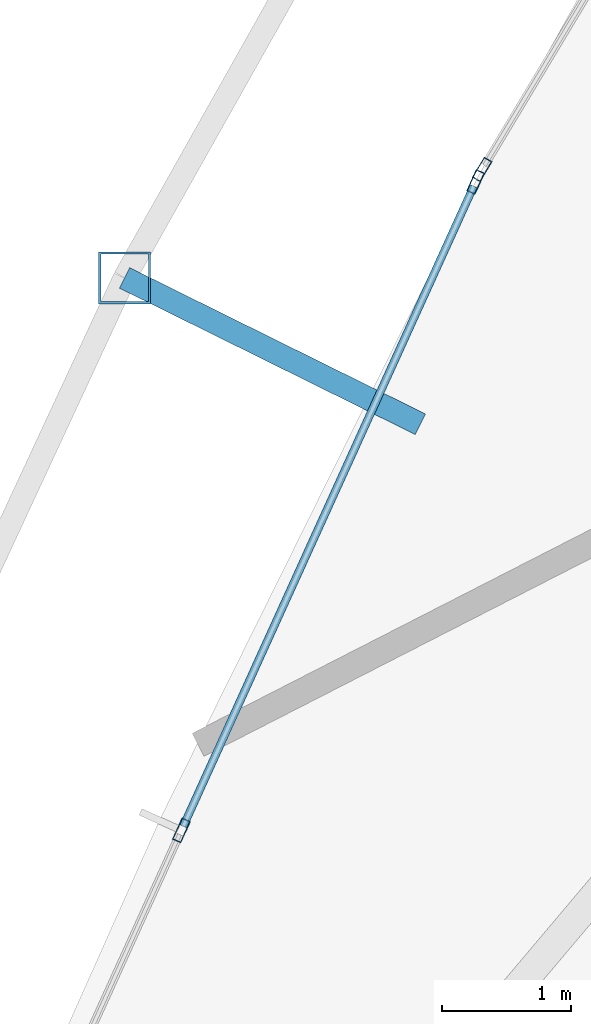
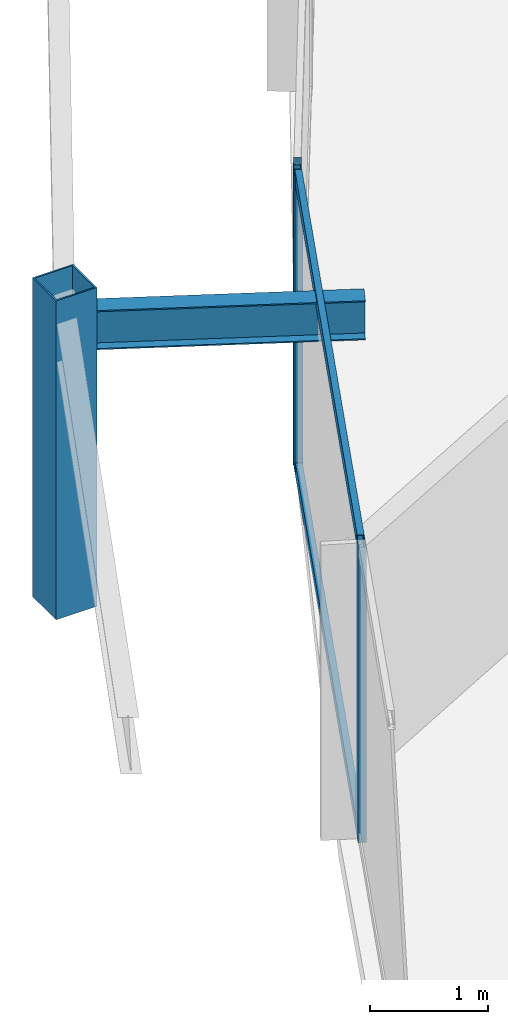
# One storey, part 10 of 31: 6 members, 1 beam, 2 elements without a shape of their own.
"""IFC4 building model written with IfcOpenShell, lengths in metres."""

import ifcopenshell
import ifcopenshell.guid

model = None  # the IFC model being written
_history = None  # IfcOwnerHistory: only IFC2X3 demands one
_inside = {}  # id of a spatial element -> (the spatial element, [elements in it])
_under = {}  # id of a project, library or spatial element -> (it, [spatial elements below it])
_declared = {}  # id of a project -> (the project, [libraries it declares])
_typed = {}  # id of a type object -> (the type object, [elements of that type])
_made_of = {}  # id of a material, layer set ... -> (it, [elements and type objects made of it])


def new_model(schema):
    """Start an empty IFC model of exactly this schema.

    Asked for "IFC4X3", IfcOpenShell would pick the latest addendum, in which some entities
    have other attributes; the version numbers below select the first issue.
    IFC2X3 requires an IfcOwnerHistory on every rooted entity: one is made here for all.
    """
    global model, _history
    if schema == "IFC4X3":
        model = ifcopenshell.file(schema_version=(4, 3, 0, 0))
    else:
        model = ifcopenshell.file(schema=schema)
    _inside.clear()
    _under.clear()
    _declared.clear()
    _typed.clear()
    _made_of.clear()
    _history = None
    if model.schema == "IFC2X3":
        org = make("IfcOrganization", Name="unknown")
        user = make(
            "IfcPersonAndOrganization",
            ThePerson=make("IfcPerson", FamilyName="unknown"),
            TheOrganization=org,
        )
        app = make(
            "IfcApplication",
            ApplicationDeveloper=org,
            Version="unknown",
            ApplicationFullName="unknown",
            ApplicationIdentifier="unknown",
        )
        _history = make(
            "IfcOwnerHistory",
            OwningUser=user,
            OwningApplication=app,
            ChangeAction="ADDED",
            CreationDate=0,
        )
    return model


def make(cls, **values):
    """One entity of the class cls with the attributes given. An attribute that is None is left unset."""
    return model.create_entity(
        cls, **{name: value for name, value in values.items() if value is not None}
    )


def rooted(cls, **values):
    """An entity with a GlobalId (a new one), such as an element, a storey or a relation."""
    return make(cls, GlobalId=ifcopenshell.guid.new(), OwnerHistory=_history, **values)


def si_unit(unit_type, name, prefix=None):
    """IfcSIUnit, for example si_unit("LENGTHUNIT", "METRE", prefix="MILLI")."""
    return make("IfcSIUnit", UnitType=unit_type, Prefix=prefix, Name=name)


def assignment(units):
    """IfcUnitAssignment: the units of a project."""
    return None if units is None else make("IfcUnitAssignment", Units=units)


def point(xyz):
    """IfcCartesianPoint."""
    return None if xyz is None else make("IfcCartesianPoint", Coordinates=xyz)


def direction(xyz):
    """IfcDirection."""
    return None if xyz is None else make("IfcDirection", DirectionRatios=xyz)


def frame(location, z_axis=None, x_axis=None):
    """IfcAxis2Placement3D, a coordinate frame: its origin and axes. An axis left out is left unset."""
    return make(
        "IfcAxis2Placement3D",
        Location=point(location),
        Axis=direction(z_axis),
        RefDirection=direction(x_axis),
    )


def frame_2d(location, x_axis=None):
    """IfcAxis2Placement2D, a coordinate frame in the plane: its origin and x axis."""
    return make(
        "IfcAxis2Placement2D", Location=point(location), RefDirection=direction(x_axis)
    )


def origin():
    """The frame at (0, 0, 0) with its axes left unset."""
    return frame((0.0, 0.0, 0.0))


def origin_2d():
    """The frame at (0, 0) in the plane with its x axis left unset."""
    return frame_2d((0.0, 0.0))


def place(relative_to, where):
    """IfcLocalPlacement: puts the frame where relative to a parent placement (None: the world)."""
    return make(
        "IfcLocalPlacement", PlacementRelTo=relative_to, RelativePlacement=where
    )


def context(
    kind, dimensions, precision=None, world=None, true_north=None, identifier=None
):
    """IfcGeometricRepresentationContext, for example the 3D "Model" context."""
    return make(
        "IfcGeometricRepresentationContext",
        ContextIdentifier=identifier,
        ContextType=kind,
        CoordinateSpaceDimension=dimensions,
        Precision=precision,
        WorldCoordinateSystem=world,
        TrueNorth=true_north,
    )


def subcontext(parent, identifier, kind, view, scale=None):
    """IfcGeometricRepresentationSubContext, for example "Body" below "Model"."""
    return make(
        "IfcGeometricRepresentationSubContext",
        ContextIdentifier=identifier,
        ContextType=kind,
        ParentContext=parent,
        TargetScale=scale,
        TargetView=view,
    )


def project(units=None, contexts=None):
    """IfcProject with its units and contexts."""
    return rooted(
        "IfcProject",
        Name="project",
        RepresentationContexts=contexts,
        UnitsInContext=assignment(units),
    )


def spatial(cls, under=None, at=None, **own):
    """A site, building, storey or space (cls), placed at a placement, below another one or the project."""
    s = rooted(cls, ObjectPlacement=at, **own)
    if under is not None:
        _under.setdefault(under.id(), (under, []))[1].append(s)
    return s


def profile(cls, at=None, kind="AREA", **sizes):
    """A parametric profile (cls). Its sizes go by their IFC names, for example OverallWidth=200.0."""
    return make(cls, ProfileType=kind, Position=at, **sizes)


def hollow_rectangle(**sizes):
    """IfcRectangleHollowProfileDef."""
    return profile("IfcRectangleHollowProfileDef", **sizes)


def i_section(**sizes):
    """IfcIShapeProfileDef."""
    return profile("IfcIShapeProfileDef", **sizes)


def extrude(swept, where, along, depth):
    """IfcExtrudedAreaSolid: the profile swept, set in the frame where, extruded along a direction by depth."""
    return make(
        "IfcExtrudedAreaSolid",
        SweptArea=swept,
        Position=where,
        ExtrudedDirection=direction(along),
        Depth=depth,
    )


def shape(context_of_items, identifier, shape_type, items):
    """IfcShapeRepresentation: the items that make up one representation, for example the "Body"."""
    return make(
        "IfcShapeRepresentation",
        ContextOfItems=context_of_items,
        RepresentationIdentifier=identifier,
        RepresentationType=shape_type,
        Items=items,
    )


def material(Name=None, Category=None):
    """IfcMaterial."""
    return make("IfcMaterial", Name=Name, Category=Category)


def layer(
    of_material, thickness, ventilated=None, Name=None, Category=None, Priority=None
):
    """IfcMaterialLayer: one layer of a wall or slab, of a material (None: an air gap)."""
    return make(
        "IfcMaterialLayer",
        Material=of_material,
        LayerThickness=thickness,
        IsVentilated=ventilated,
        Name=Name,
        Category=Category,
        Priority=Priority,
    )


def layer_set(layers, Name=None):
    """IfcMaterialLayerSet."""
    return make("IfcMaterialLayerSet", MaterialLayers=layers, LayerSetName=Name)


def material_profile(
    of_material, cross_section, Name=None, Category=None, Priority=None
):
    """IfcMaterialProfile: a cross section and its material."""
    return make(
        "IfcMaterialProfile",
        Name=Name,
        Material=of_material,
        Profile=cross_section,
        Priority=Priority,
        Category=Category,
    )


def profile_set(profiles, Name=None, composite=None):
    """IfcMaterialProfileSet."""
    return make(
        "IfcMaterialProfileSet",
        Name=Name,
        MaterialProfiles=profiles,
        CompositeProfile=composite,
    )


def made_of(thing, what):
    """Note that an element or type object is made of a material, layer set ...; save() writes the relation."""
    if what is not None:
        _made_of.setdefault(what.id(), (what, []))[1].append(thing)
    return thing


def type_object(cls, material=None, **own):
    """A type object (cls), such as IfcWallType, which elements share."""
    return made_of(rooted(cls, **own), material)


def element(
    cls,
    number,
    at=None,
    inside=None,
    cuts=None,
    type_object=None,
    material=None,
    context=None,
    identifier="Body",
    shape_type=None,
    held_by="IfcProductDefinitionShape",
    body=None,
    shapes=None,
    **own,
):
    """One element of the class cls, such as IfcWall. Its Tag is "e" and its number.

    at: its placement. inside: the storey or other place that contains it. cuts: it is an
    opening in that element (IfcRelVoidsElement). A single representation is given by context,
    identifier, shape_type and body (its items); several are given by shapes. held_by: the class
    of the entity that holds the representations. save() writes the other relations.
    """
    e = rooted(cls, Tag="e%d" % number, ObjectPlacement=at, **own)
    if body is not None:
        shapes = [shape(context, identifier, shape_type, body)]
    if shapes is not None:
        e.Representation = make(held_by, Representations=shapes)
    if inside is not None:
        _inside.setdefault(inside.id(), (inside, []))[1].append(e)
    if cuts is not None:
        rooted(
            "IfcRelVoidsElement", RelatingBuildingElement=cuts, RelatedOpeningElement=e
        )
    if type_object is not None:
        _typed.setdefault(type_object.id(), (type_object, []))[1].append(e)
    return made_of(e, material)


def aggregate(whole, parts):
    """IfcRelAggregates: a whole, such as a stair, and the parts it consists of."""
    return rooted("IfcRelAggregates", RelatingObject=whole, RelatedObjects=parts)


def save(model, path):
    """Write the relations noted so far, then the file.

    IfcRelAggregates (storeys below a building ...), IfcRelContainedInSpatialStructure (elements
    in a storey), IfcRelDefinesByType, IfcRelAssociatesMaterial and IfcRelDeclares: one each for
    every whole, place, type object, material and project.
    """
    for whole, parts in _under.values():
        aggregate(whole, parts)
    for where, things in _inside.values():
        rooted(
            "IfcRelContainedInSpatialStructure",
            RelatedElements=things,
            RelatingStructure=where,
        )
    for kind, things in _typed.values():
        rooted("IfcRelDefinesByType", RelatedObjects=things, RelatingType=kind)
    for what, things in _made_of.values():
        rooted("IfcRelAssociatesMaterial", RelatedObjects=things, RelatingMaterial=what)
    for by, libraries in _declared.values():
        rooted("IfcRelDeclares", RelatingContext=by, RelatedDefinitions=libraries)
    model.write(path)


model = new_model("IFC4")

# Units and contexts
model_context = context("Model", 3, precision=1e-05, world=origin(), true_north=direction((0.0, 1.0)))
body_context = subcontext(model_context, "Body", "Model", "MODEL_VIEW")
ifc_project = project(units=[si_unit("LENGTHUNIT", "METRE"), si_unit("AREAUNIT", "SQUARE_METRE"), si_unit("VOLUMEUNIT", "CUBIC_METRE"), si_unit("PLANEANGLEUNIT", "RADIAN"), si_unit("MASSUNIT", "GRAM", prefix="KILO")], contexts=[model_context])

# Site, building, storey
site_placement = place(None, origin())
site = spatial("IfcSite", under=ifc_project, at=site_placement, CompositionType="ELEMENT")
building_placement = place(site_placement, origin())
building = spatial("IfcBuilding", under=site, at=building_placement, Name="Orvanel Arch Residences", CompositionType="ELEMENT")
storey_placement = place(building_placement, frame((0.0, 0.0, 153.949951171875)))
storey = spatial("IfcBuildingStorey", under=building, at=storey_placement, Name="L43", CompositionType="ELEMENT", Elevation=153.949951171875)

# Curtain wall, member
ifc_material_1 = material(Name="Bronze-anodised aluminium AA6063-T6", Category="aluminium")
ifc_layer = layer(ifc_material_1, 0.179931640625)
ifc_layer_set = layer_set([ifc_layer], Name="Bronze-anodised aluminium AA6063-T6")
curtain_wall_type = type_object("IfcCurtainWallType", Name="CW3-MID-SYS", PredefinedType="NOTDEFINED", material=ifc_layer_set)
curtain_wall_1_placement = place(storey_placement, origin())
curtain_wall_1 = element("IfcCurtainWall", 1, at=curtain_wall_1_placement, inside=storey, type_object=curtain_wall_type, Name="L43 CW3-MID-SYS Unitised Curtain Wall", PredefinedType="NOTDEFINED")
ifc_material_profile_1 = material_profile(ifc_material_1, hollow_rectangle(XDim=0.070068359375, YDim=0.179931640625, WallThickness=0.00439453125, at=origin_2d()), Name="ALU180x70x4.5")
ifc_profile_set_1 = profile_set([ifc_material_profile_1], Name="Bronze-anodised aluminium AA6063-T6")
member_type_1 = type_object("IfcMemberType", Name="MUL-180x70", PredefinedType="MULLION", material=ifc_profile_set_1)
member_1_placement = place(storey_placement, frame((14.923095703125, 24.575927734375, 0.0), z_axis=(0.0, 0.0, 1.0), x_axis=(0.857541106242, -0.514415446021, 0.0)))
member_1 = element("IfcMember", 2, at=member_1_placement, type_object=member_type_1, Name="CW-S3 mullion 3", PredefinedType="MULLION", context=body_context, shape_type="SweptSolid", body=[
    extrude(hollow_rectangle(XDim=0.070068359375, YDim=0.179931640625, WallThickness=0.00439453125, at=origin_2d()), origin(), (0.0, 0.0, 1.0), 3.06005859375),
])
aggregate(curtain_wall_1, [member_1])

# Curtain wall, members
curtain_wall_2_placement = place(storey_placement, origin())
curtain_wall_2 = element("IfcCurtainWall", 3, at=curtain_wall_2_placement, inside=storey, type_object=curtain_wall_type, Name="L43 CW3-MID-SYS Unitised Curtain Wall", PredefinedType="NOTDEFINED")
member_2_placement = place(storey_placement, frame((14.87255859375, 24.479248046875, 0.0), z_axis=(0.0, 0.0, 1.0), x_axis=(0.910648730279, -0.413181425091, 0.0)))
member_2 = element("IfcMember", 4, at=member_2_placement, type_object=member_type_1, Name="CW-S3 mullion 1", PredefinedType="MULLION", context=body_context, shape_type="SweptSolid", body=[
    extrude(hollow_rectangle(XDim=0.070068359375, YDim=0.179931640625, WallThickness=0.00439453125, at=origin_2d()), origin(), (0.0, 0.0, 1.0), 3.06005859375),
])
member_3_placement = place(storey_placement, frame((12.599365234375, 19.468994140625, 0.0), z_axis=(0.0, 0.0, 1.0), x_axis=(0.910648730279, -0.413181425091, 0.0)))
member_3 = element("IfcMember", 5, at=member_3_placement, type_object=member_type_1, Name="CW-S3 mullion 2", PredefinedType="MULLION", context=body_context, shape_type="SweptSolid", body=[
    extrude(hollow_rectangle(XDim=0.070068359375, YDim=0.179931640625, WallThickness=0.00439453125, at=origin_2d()), origin(), (0.0, 0.0, 1.0), 3.06005859375),
])

# Beam
ifc_material_2 = material(Name="Structural steel AS/NZS 3679.1 Grade 300 (300 MPa)", Category="steel")
ifc_material_profile_2 = material_profile(ifc_material_2, i_section(OverallWidth=0.177978515625, OverallDepth=0.406005859375, WebThickness=0.0078125, FlangeThickness=0.0126953125, at=origin_2d()), Name="410UB59.7")
ifc_profile_set_2 = profile_set([ifc_material_profile_2], Name="Structural steel AS/NZS 3679.1 Grade 300 (300 MPa)")
beam_type = type_object("IfcBeamType", Name="OB-410UB-EXT", PredefinedType="SPANDREL", material=ifc_profile_set_2)
beam_placement = place(storey_placement, frame((14.446044921875, 22.60693359375, 2.85693359375), z_axis=(-0.896295377038, 0.44345754825, 0.0), x_axis=(-0.44345754825, -0.896295377038, 0.0)))
element("IfcBeam", 6, at=beam_placement, inside=storey, type_object=beam_type, Name="L43 Outer Frame Radial Tie Beam 03", PredefinedType="SPANDREL", context=body_context, shape_type="SweptSolid", body=[
    extrude(i_section(OverallWidth=0.177978515625, OverallDepth=0.406005859375, WebThickness=0.0078125, FlangeThickness=0.0126953125, at=origin_2d()), origin(), (0.0, 0.0, 1.0), 2.550537109375),
])

# Member
ifc_material_3 = material(Name="Structural steel AS/NZS 1163 C450L0 (Grade 450)", Category="steel")
ifc_material_profile_3 = material_profile(ifc_material_3, hollow_rectangle(XDim=0.39990234375, YDim=0.39990234375, WallThickness=0.01611328125, at=origin_2d()), Name="SHS400x400x16")
ifc_profile_set_3 = profile_set([ifc_material_profile_3], Name="Structural steel AS/NZS 1163 C450L0 (Grade 450)")
member_type_2 = type_object("IfcMemberType", Name="ST-400SHS-EXT", PredefinedType="STRUT", material=ifc_profile_set_3)
member_4_placement = place(storey_placement, frame((12.159912109375, 23.738037109375, 0.0), z_axis=(0.0, 0.0, 1.0), x_axis=(1.0, 0.0, 0.0)))
element("IfcMember", 7, at=member_4_placement, inside=storey, type_object=member_type_2, Name="L43 Outer Perimeter Frame Post 03", PredefinedType="STRUT", context=body_context, shape_type="SweptSolid", body=[
    extrude(hollow_rectangle(XDim=0.39990234375, YDim=0.39990234375, WallThickness=0.01611328125, at=origin_2d()), origin(), (0.0, 0.0, 1.0), 3.300048828125),
])

ifc_material_profile_4 = material_profile(ifc_material_1, hollow_rectangle(XDim=0.06005859375, YDim=0.135009765625, WallThickness=0.00390625, at=origin_2d()), Name="ALU135x60x4")
ifc_profile_set_4 = profile_set([ifc_material_profile_4], Name="Bronze-anodised aluminium AA6063-T6")
member_type_3 = type_object("IfcMemberType", Name="TRN-135x60", PredefinedType="USERDEFINED", material=ifc_profile_set_4)
member_5_placement = place(storey_placement, frame((14.858154296875, 24.447265625, 0.030029296875), z_axis=(-0.413203450415, -0.910638736583, 0.0), x_axis=(0.910638736583, -0.413203450415, 0.0)))
member_5 = element("IfcMember", 8, at=member_5_placement, type_object=member_type_3, Name="CW-S3 transom 1.1", ObjectType="TRANSOM", PredefinedType="USERDEFINED", context=body_context, shape_type="SweptSolid", body=[
    extrude(hollow_rectangle(XDim=0.06005859375, YDim=0.135009765625, WallThickness=0.00390625, at=origin_2d()), origin(), (0.0, 0.0, 1.0), 5.431640625),
])

member_6_placement = place(storey_placement, frame((14.858154296875, 24.447265625, 3.030029296875), z_axis=(-0.413203450415, -0.910638736583, 0.0), x_axis=(0.910638736583, -0.413203450415, 0.0)))
member_6 = element("IfcMember", 9, at=member_6_placement, type_object=member_type_3, Name="CW-S3 transom 1.2", ObjectType="TRANSOM", PredefinedType="USERDEFINED", context=body_context, shape_type="SweptSolid", body=[
    extrude(hollow_rectangle(XDim=0.06005859375, YDim=0.135009765625, WallThickness=0.00390625, at=origin_2d()), origin(), (0.0, 0.0, 1.0), 5.431640625),
])

aggregate(curtain_wall_2, [member_2, member_3, member_5, member_6])

save(model, "model.ifc")
